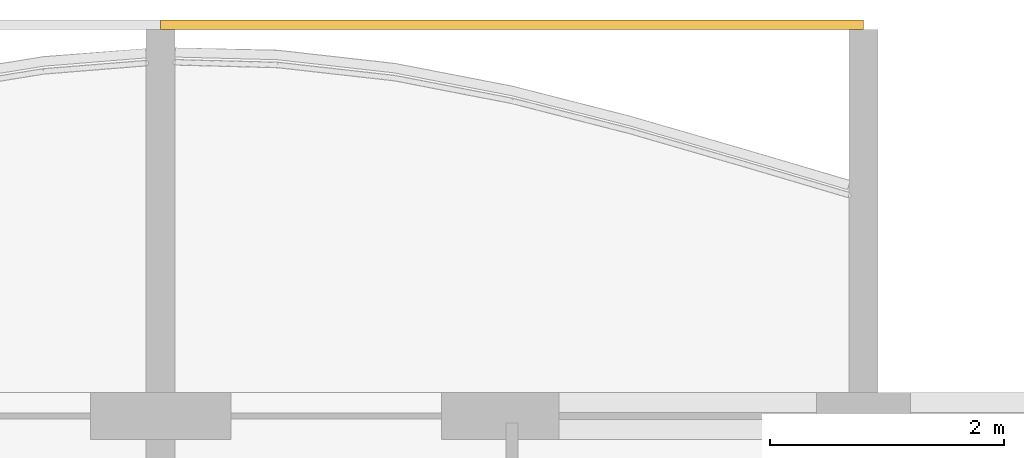
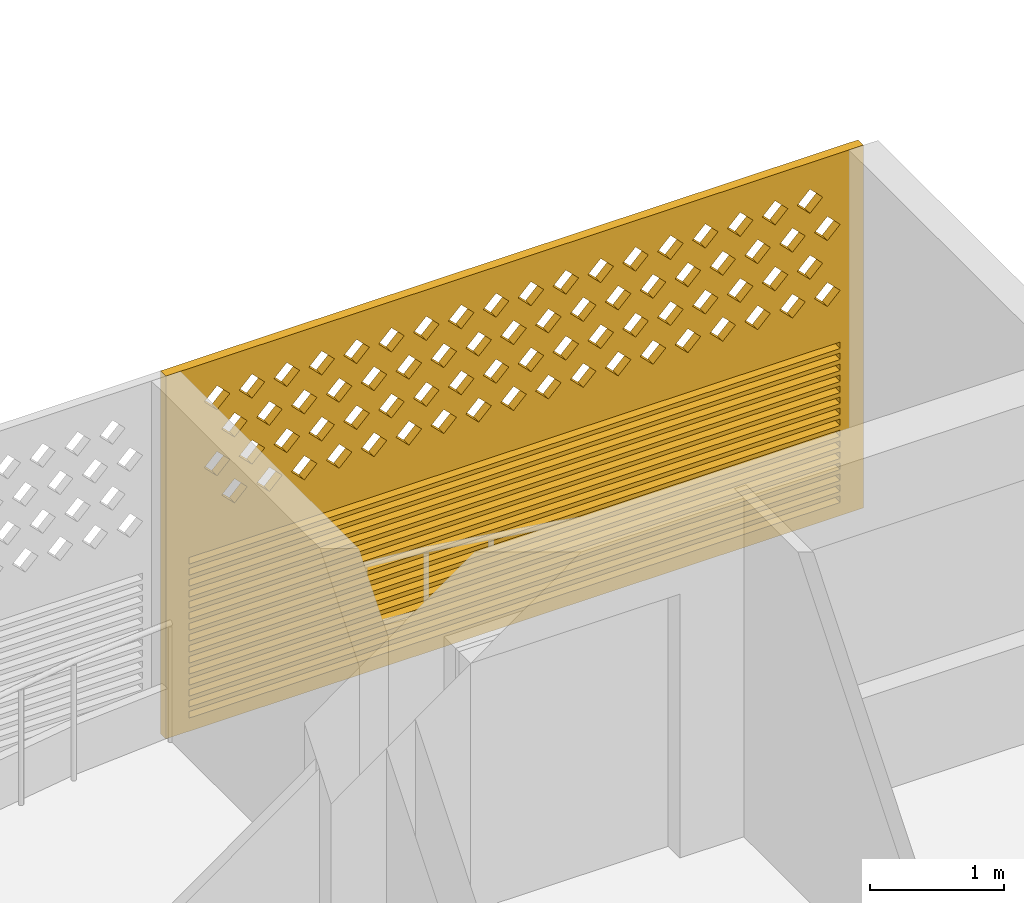
# One storey, part 21 of 27: 1 covering.
"""IFC4 building model written with IfcOpenShell, lengths in metres."""

from ifc_helpers import new_model, si_unit, direction, frame, origin, place, context, subcontext, project, spatial, polyline, outline, extrude, source, transform, mapped, material, material_profile, profile_set, type_object, element, save


model = new_model("IFC4")

# Units and contexts
model_context = context("Model", 3, precision=1e-05, world=origin(), true_north=direction((0.0, 1.0)))
body_context = subcontext(model_context, "Body", "Model", "MODEL_VIEW")
ifc_project = project(units=[si_unit("LENGTHUNIT", "METRE"), si_unit("AREAUNIT", "SQUARE_METRE"), si_unit("VOLUMEUNIT", "CUBIC_METRE"), si_unit("PLANEANGLEUNIT", "RADIAN"), si_unit("MASSUNIT", "GRAM", prefix="KILO")], contexts=[model_context])

# Site, building, storey
site_placement = place(None, origin())
site = spatial("IfcSite", under=ifc_project, at=site_placement, CompositionType="ELEMENT")
building_placement = place(site_placement, origin())
building = spatial("IfcBuilding", under=site, at=building_placement, Name="Poui Terraces", CompositionType="ELEMENT")
storey_placement = place(building_placement, frame((0.0, 0.0, 204.89990234375)))
storey = spatial("IfcBuildingStorey", under=building, at=storey_placement, Name="L57", CompositionType="ELEMENT", Elevation=204.89990234375)

# Covering
ifc_material = material(Name="Terracotta screen", Category="masonry")
ifc_material_profile = material_profile(ifc_material, outline(polyline([(-3.0, -1.64990234375), (3.0, -1.64990234375), (3.0, 1.64990234375), (-3.0, 1.64990234375), (-3.0, -1.64990234375)]), holes=[polyline([(-2.800048828125, 0.39990234375), (-2.68994140625, 0.2900390625), (-2.580078125, 0.39990234375), (-2.68994140625, 0.510009765625), (-2.800048828125, 0.39990234375)]), polyline([(-2.5, 0.39990234375), (-2.389892578125, 0.2900390625), (-2.280029296875, 0.39990234375), (-2.389892578125, 0.510009765625), (-2.5, 0.39990234375)]), polyline([(-2.199951171875, 0.39990234375), (-2.090087890625, 0.2900390625), (-1.97998046875, 0.39990234375), (-2.090087890625, 0.510009765625), (-2.199951171875, 0.39990234375)]), polyline([(-1.89990234375, 0.39990234375), (-1.7900390625, 0.2900390625), (-1.679931640625, 0.39990234375), (-1.7900390625, 0.510009765625), (-1.89990234375, 0.39990234375)]), polyline([(-1.60009765625, 0.39990234375), (-1.489990234375, 0.2900390625), (-1.3798828125, 0.39990234375), (-1.489990234375, 0.510009765625), (-1.60009765625, 0.39990234375)]), polyline([(-1.300048828125, 0.39990234375), (-1.18994140625, 0.2900390625), (-1.080078125, 0.39990234375), (-1.18994140625, 0.510009765625), (-1.300048828125, 0.39990234375)]), polyline([(-1.0, 0.39990234375), (-0.889892578125, 0.2900390625), (-0.780029296875, 0.39990234375), (-0.889892578125, 0.510009765625), (-1.0, 0.39990234375)]), polyline([(-0.699951171875, 0.39990234375), (-0.590087890625, 0.2900390625), (-0.47998046875, 0.39990234375), (-0.590087890625, 0.510009765625), (-0.699951171875, 0.39990234375)]), polyline([(-0.39990234375, 0.39990234375), (-0.2900390625, 0.2900390625), (-0.179931640625, 0.39990234375), (-0.2900390625, 0.510009765625), (-0.39990234375, 0.39990234375)]), polyline([(-0.10009765625, 0.39990234375), (0.010009765625, 0.2900390625), (0.1201171875, 0.39990234375), (0.010009765625, 0.510009765625), (-0.10009765625, 0.39990234375)]), polyline([(0.199951171875, 0.39990234375), (0.31005859375, 0.2900390625), (0.419921875, 0.39990234375), (0.31005859375, 0.510009765625), (0.199951171875, 0.39990234375)]), polyline([(0.5, 0.39990234375), (0.610107421875, 0.2900390625), (0.719970703125, 0.39990234375), (0.610107421875, 0.510009765625), (0.5, 0.39990234375)]), polyline([(0.800048828125, 0.39990234375), (0.909912109375, 0.2900390625), (1.02001953125, 0.39990234375), (0.909912109375, 0.510009765625), (0.800048828125, 0.39990234375)]), polyline([(1.10009765625, 0.39990234375), (1.2099609375, 0.2900390625), (1.320068359375, 0.39990234375), (1.2099609375, 0.510009765625), (1.10009765625, 0.39990234375)]), polyline([(1.39990234375, 0.39990234375), (1.510009765625, 0.2900390625), (1.6201171875, 0.39990234375), (1.510009765625, 0.510009765625), (1.39990234375, 0.39990234375)]), polyline([(1.699951171875, 0.39990234375), (1.81005859375, 0.2900390625), (1.919921875, 0.39990234375), (1.81005859375, 0.510009765625), (1.699951171875, 0.39990234375)]), polyline([(2.0, 0.39990234375), (2.110107421875, 0.2900390625), (2.219970703125, 0.39990234375), (2.110107421875, 0.510009765625), (2.0, 0.39990234375)]), polyline([(2.300048828125, 0.39990234375), (2.409912109375, 0.2900390625), (2.52001953125, 0.39990234375), (2.409912109375, 0.510009765625), (2.300048828125, 0.39990234375)]), polyline([(-2.64990234375, 0.699951171875), (-2.5400390625, 0.590087890625), (-2.429931640625, 0.699951171875), (-2.5400390625, 0.81005859375), (-2.64990234375, 0.699951171875)]), polyline([(-2.35009765625, 0.699951171875), (-2.239990234375, 0.590087890625), (-2.1298828125, 0.699951171875), (-2.239990234375, 0.81005859375), (-2.35009765625, 0.699951171875)]), polyline([(-2.050048828125, 0.699951171875), (-1.93994140625, 0.590087890625), (-1.830078125, 0.699951171875), (-1.93994140625, 0.81005859375), (-2.050048828125, 0.699951171875)]), polyline([(-1.75, 0.699951171875), (-1.639892578125, 0.590087890625), (-1.530029296875, 0.699951171875), (-1.639892578125, 0.81005859375), (-1.75, 0.699951171875)]), polyline([(-1.449951171875, 0.699951171875), (-1.340087890625, 0.590087890625), (-1.22998046875, 0.699951171875), (-1.340087890625, 0.81005859375), (-1.449951171875, 0.699951171875)]), polyline([(-1.14990234375, 0.699951171875), (-1.0400390625, 0.590087890625), (-0.929931640625, 0.699951171875), (-1.0400390625, 0.81005859375), (-1.14990234375, 0.699951171875)]), polyline([(-0.85009765625, 0.699951171875), (-0.739990234375, 0.590087890625), (-0.6298828125, 0.699951171875), (-0.739990234375, 0.81005859375), (-0.85009765625, 0.699951171875)]), polyline([(-0.550048828125, 0.699951171875), (-0.43994140625, 0.590087890625), (-0.330078125, 0.699951171875), (-0.43994140625, 0.81005859375), (-0.550048828125, 0.699951171875)]), polyline([(-0.25, 0.699951171875), (-0.139892578125, 0.590087890625), (-0.030029296875, 0.699951171875), (-0.139892578125, 0.81005859375), (-0.25, 0.699951171875)]), polyline([(0.050048828125, 0.699951171875), (0.159912109375, 0.590087890625), (0.27001953125, 0.699951171875), (0.159912109375, 0.81005859375), (0.050048828125, 0.699951171875)]), polyline([(0.35009765625, 0.699951171875), (0.4599609375, 0.590087890625), (0.570068359375, 0.699951171875), (0.4599609375, 0.81005859375), (0.35009765625, 0.699951171875)]), polyline([(0.64990234375, 0.699951171875), (0.760009765625, 0.590087890625), (0.8701171875, 0.699951171875), (0.760009765625, 0.81005859375), (0.64990234375, 0.699951171875)]), polyline([(0.949951171875, 0.699951171875), (1.06005859375, 0.590087890625), (1.169921875, 0.699951171875), (1.06005859375, 0.81005859375), (0.949951171875, 0.699951171875)]), polyline([(1.25, 0.699951171875), (1.360107421875, 0.590087890625), (1.469970703125, 0.699951171875), (1.360107421875, 0.81005859375), (1.25, 0.699951171875)]), polyline([(1.550048828125, 0.699951171875), (1.659912109375, 0.590087890625), (1.77001953125, 0.699951171875), (1.659912109375, 0.81005859375), (1.550048828125, 0.699951171875)]), polyline([(1.85009765625, 0.699951171875), (1.9599609375, 0.590087890625), (2.070068359375, 0.699951171875), (1.9599609375, 0.81005859375), (1.85009765625, 0.699951171875)]), polyline([(2.14990234375, 0.699951171875), (2.260009765625, 0.590087890625), (2.3701171875, 0.699951171875), (2.260009765625, 0.81005859375), (2.14990234375, 0.699951171875)]), polyline([(2.449951171875, 0.699951171875), (2.56005859375, 0.590087890625), (2.669921875, 0.699951171875), (2.56005859375, 0.81005859375), (2.449951171875, 0.699951171875)]), polyline([(-2.800048828125, 1.0), (-2.68994140625, 0.889892578125), (-2.580078125, 1.0), (-2.68994140625, 1.110107421875), (-2.800048828125, 1.0)]), polyline([(-2.5, 1.0), (-2.389892578125, 0.889892578125), (-2.280029296875, 1.0), (-2.389892578125, 1.110107421875), (-2.5, 1.0)]), polyline([(-2.199951171875, 1.0), (-2.090087890625, 0.889892578125), (-1.97998046875, 1.0), (-2.090087890625, 1.110107421875), (-2.199951171875, 1.0)]), polyline([(-1.89990234375, 1.0), (-1.7900390625, 0.889892578125), (-1.679931640625, 1.0), (-1.7900390625, 1.110107421875), (-1.89990234375, 1.0)]), polyline([(-1.60009765625, 1.0), (-1.489990234375, 0.889892578125), (-1.3798828125, 1.0), (-1.489990234375, 1.110107421875), (-1.60009765625, 1.0)]), polyline([(-1.300048828125, 1.0), (-1.18994140625, 0.889892578125), (-1.080078125, 1.0), (-1.18994140625, 1.110107421875), (-1.300048828125, 1.0)]), polyline([(-1.0, 1.0), (-0.889892578125, 0.889892578125), (-0.780029296875, 1.0), (-0.889892578125, 1.110107421875), (-1.0, 1.0)]), polyline([(-0.699951171875, 1.0), (-0.590087890625, 0.889892578125), (-0.47998046875, 1.0), (-0.590087890625, 1.110107421875), (-0.699951171875, 1.0)]), polyline([(-0.39990234375, 1.0), (-0.2900390625, 0.889892578125), (-0.179931640625, 1.0), (-0.2900390625, 1.110107421875), (-0.39990234375, 1.0)]), polyline([(-0.10009765625, 1.0), (0.010009765625, 0.889892578125), (0.1201171875, 1.0), (0.010009765625, 1.110107421875), (-0.10009765625, 1.0)]), polyline([(0.199951171875, 1.0), (0.31005859375, 0.889892578125), (0.419921875, 1.0), (0.31005859375, 1.110107421875), (0.199951171875, 1.0)]), polyline([(0.5, 1.0), (0.610107421875, 0.889892578125), (0.719970703125, 1.0), (0.610107421875, 1.110107421875), (0.5, 1.0)]), polyline([(0.800048828125, 1.0), (0.909912109375, 0.889892578125), (1.02001953125, 1.0), (0.909912109375, 1.110107421875), (0.800048828125, 1.0)]), polyline([(1.10009765625, 1.0), (1.2099609375, 0.889892578125), (1.320068359375, 1.0), (1.2099609375, 1.110107421875), (1.10009765625, 1.0)]), polyline([(1.39990234375, 1.0), (1.510009765625, 0.889892578125), (1.6201171875, 1.0), (1.510009765625, 1.110107421875), (1.39990234375, 1.0)]), polyline([(1.699951171875, 1.0), (1.81005859375, 0.889892578125), (1.919921875, 1.0), (1.81005859375, 1.110107421875), (1.699951171875, 1.0)]), polyline([(2.0, 1.0), (2.110107421875, 0.889892578125), (2.219970703125, 1.0), (2.110107421875, 1.110107421875), (2.0, 1.0)]), polyline([(2.300048828125, 1.0), (2.409912109375, 0.889892578125), (2.52001953125, 1.0), (2.409912109375, 1.110107421875), (2.300048828125, 1.0)]), polyline([(-2.64990234375, 1.300048828125), (-2.5400390625, 1.18994140625), (-2.429931640625, 1.300048828125), (-2.5400390625, 1.409912109375), (-2.64990234375, 1.300048828125)]), polyline([(-2.35009765625, 1.300048828125), (-2.239990234375, 1.18994140625), (-2.1298828125, 1.300048828125), (-2.239990234375, 1.409912109375), (-2.35009765625, 1.300048828125)]), polyline([(-2.050048828125, 1.300048828125), (-1.93994140625, 1.18994140625), (-1.830078125, 1.300048828125), (-1.93994140625, 1.409912109375), (-2.050048828125, 1.300048828125)]), polyline([(-1.75, 1.300048828125), (-1.639892578125, 1.18994140625), (-1.530029296875, 1.300048828125), (-1.639892578125, 1.409912109375), (-1.75, 1.300048828125)]), polyline([(-1.449951171875, 1.300048828125), (-1.340087890625, 1.18994140625), (-1.22998046875, 1.300048828125), (-1.340087890625, 1.409912109375), (-1.449951171875, 1.300048828125)]), polyline([(-1.14990234375, 1.300048828125), (-1.0400390625, 1.18994140625), (-0.929931640625, 1.300048828125), (-1.0400390625, 1.409912109375), (-1.14990234375, 1.300048828125)]), polyline([(-0.85009765625, 1.300048828125), (-0.739990234375, 1.18994140625), (-0.6298828125, 1.300048828125), (-0.739990234375, 1.409912109375), (-0.85009765625, 1.300048828125)]), polyline([(-0.550048828125, 1.300048828125), (-0.43994140625, 1.18994140625), (-0.330078125, 1.300048828125), (-0.43994140625, 1.409912109375), (-0.550048828125, 1.300048828125)]), polyline([(-0.25, 1.300048828125), (-0.139892578125, 1.18994140625), (-0.030029296875, 1.300048828125), (-0.139892578125, 1.409912109375), (-0.25, 1.300048828125)]), polyline([(0.050048828125, 1.300048828125), (0.159912109375, 1.18994140625), (0.27001953125, 1.300048828125), (0.159912109375, 1.409912109375), (0.050048828125, 1.300048828125)]), polyline([(0.35009765625, 1.300048828125), (0.4599609375, 1.18994140625), (0.570068359375, 1.300048828125), (0.4599609375, 1.409912109375), (0.35009765625, 1.300048828125)]), polyline([(0.64990234375, 1.300048828125), (0.760009765625, 1.18994140625), (0.8701171875, 1.300048828125), (0.760009765625, 1.409912109375), (0.64990234375, 1.300048828125)]), polyline([(0.949951171875, 1.300048828125), (1.06005859375, 1.18994140625), (1.169921875, 1.300048828125), (1.06005859375, 1.409912109375), (0.949951171875, 1.300048828125)]), polyline([(1.25, 1.300048828125), (1.360107421875, 1.18994140625), (1.469970703125, 1.300048828125), (1.360107421875, 1.409912109375), (1.25, 1.300048828125)]), polyline([(1.550048828125, 1.300048828125), (1.659912109375, 1.18994140625), (1.77001953125, 1.300048828125), (1.659912109375, 1.409912109375), (1.550048828125, 1.300048828125)]), polyline([(1.85009765625, 1.300048828125), (1.9599609375, 1.18994140625), (2.070068359375, 1.300048828125), (1.9599609375, 1.409912109375), (1.85009765625, 1.300048828125)]), polyline([(2.14990234375, 1.300048828125), (2.260009765625, 1.18994140625), (2.3701171875, 1.300048828125), (2.260009765625, 1.409912109375), (2.14990234375, 1.300048828125)]), polyline([(2.449951171875, 1.300048828125), (2.56005859375, 1.18994140625), (2.669921875, 1.300048828125), (2.56005859375, 1.409912109375), (2.449951171875, 1.300048828125)]), polyline([(-2.800048828125, -1.530029296875), (2.800048828125, -1.530029296875), (2.800048828125, -1.469970703125), (-2.800048828125, -1.469970703125), (-2.800048828125, -1.530029296875)]), polyline([(-2.800048828125, -1.429931640625), (2.800048828125, -1.429931640625), (2.800048828125, -1.3701171875), (-2.800048828125, -1.3701171875), (-2.800048828125, -1.429931640625)]), polyline([(-2.800048828125, -1.330078125), (2.800048828125, -1.330078125), (2.800048828125, -1.27001953125), (-2.800048828125, -1.27001953125), (-2.800048828125, -1.330078125)]), polyline([(-2.800048828125, -1.22998046875), (2.800048828125, -1.22998046875), (2.800048828125, -1.169921875), (-2.800048828125, -1.169921875), (-2.800048828125, -1.22998046875)]), polyline([(-2.800048828125, -1.1298828125), (2.800048828125, -1.1298828125), (2.800048828125, -1.070068359375), (-2.800048828125, -1.070068359375), (-2.800048828125, -1.1298828125)]), polyline([(-2.800048828125, -1.030029296875), (2.800048828125, -1.030029296875), (2.800048828125, -0.969970703125), (-2.800048828125, -0.969970703125), (-2.800048828125, -1.030029296875)]), polyline([(-2.800048828125, -0.929931640625), (2.800048828125, -0.929931640625), (2.800048828125, -0.8701171875), (-2.800048828125, -0.8701171875), (-2.800048828125, -0.929931640625)]), polyline([(-2.800048828125, -0.830078125), (2.800048828125, -0.830078125), (2.800048828125, -0.77001953125), (-2.800048828125, -0.77001953125), (-2.800048828125, -0.830078125)]), polyline([(-2.800048828125, -0.72998046875), (2.800048828125, -0.72998046875), (2.800048828125, -0.669921875), (-2.800048828125, -0.669921875), (-2.800048828125, -0.72998046875)]), polyline([(-2.800048828125, -0.6298828125), (2.800048828125, -0.6298828125), (2.800048828125, -0.570068359375), (-2.800048828125, -0.570068359375), (-2.800048828125, -0.6298828125)]), polyline([(-2.800048828125, -0.530029296875), (2.800048828125, -0.530029296875), (2.800048828125, -0.469970703125), (-2.800048828125, -0.469970703125), (-2.800048828125, -0.530029296875)]), polyline([(-2.800048828125, -0.429931640625), (2.800048828125, -0.429931640625), (2.800048828125, -0.3701171875), (-2.800048828125, -0.3701171875), (-2.800048828125, -0.429931640625)]), polyline([(-2.800048828125, -0.330078125), (2.800048828125, -0.330078125), (2.800048828125, -0.27001953125), (-2.800048828125, -0.27001953125), (-2.800048828125, -0.330078125)]), polyline([(-2.800048828125, -0.22998046875), (2.800048828125, -0.22998046875), (2.800048828125, -0.169921875), (-2.800048828125, -0.169921875), (-2.800048828125, -0.22998046875)]), polyline([(-2.800048828125, -0.1298828125), (2.800048828125, -0.1298828125), (2.800048828125, -0.070068359375), (-2.800048828125, -0.070068359375), (-2.800048828125, -0.1298828125)])]), Name="TERRACOTTA SCREEN AND JALOUSIE LOUVRE 6000X3300")
ifc_profile_set = profile_set([ifc_material_profile], Name="Terracotta screen")
covering_type = type_object("IfcCoveringType", Name="TERRACOTTA SCREEN AND JALOUSIE LOUVRE 6000X3300", PredefinedType="CLADDING", material=ifc_profile_set)
shared_shape = source(origin(), body_context, "Body", "SweptSolid", [
    extrude(outline(polyline([(-3.0, -1.64990234375), (3.0, -1.64990234375), (3.0, 1.64990234375), (-3.0, 1.64990234375), (-3.0, -1.64990234375)]), holes=[polyline([(-2.800048828125, 0.39990234375), (-2.68994140625, 0.2900390625), (-2.580078125, 0.39990234375), (-2.68994140625, 0.510009765625), (-2.800048828125, 0.39990234375)]), polyline([(-2.5, 0.39990234375), (-2.389892578125, 0.2900390625), (-2.280029296875, 0.39990234375), (-2.389892578125, 0.510009765625), (-2.5, 0.39990234375)]), polyline([(-2.199951171875, 0.39990234375), (-2.090087890625, 0.2900390625), (-1.97998046875, 0.39990234375), (-2.090087890625, 0.510009765625), (-2.199951171875, 0.39990234375)]), polyline([(-1.89990234375, 0.39990234375), (-1.7900390625, 0.2900390625), (-1.679931640625, 0.39990234375), (-1.7900390625, 0.510009765625), (-1.89990234375, 0.39990234375)]), polyline([(-1.60009765625, 0.39990234375), (-1.489990234375, 0.2900390625), (-1.3798828125, 0.39990234375), (-1.489990234375, 0.510009765625), (-1.60009765625, 0.39990234375)]), polyline([(-1.300048828125, 0.39990234375), (-1.18994140625, 0.2900390625), (-1.080078125, 0.39990234375), (-1.18994140625, 0.510009765625), (-1.300048828125, 0.39990234375)]), polyline([(-1.0, 0.39990234375), (-0.889892578125, 0.2900390625), (-0.780029296875, 0.39990234375), (-0.889892578125, 0.510009765625), (-1.0, 0.39990234375)]), polyline([(-0.699951171875, 0.39990234375), (-0.590087890625, 0.2900390625), (-0.47998046875, 0.39990234375), (-0.590087890625, 0.510009765625), (-0.699951171875, 0.39990234375)]), polyline([(-0.39990234375, 0.39990234375), (-0.2900390625, 0.2900390625), (-0.179931640625, 0.39990234375), (-0.2900390625, 0.510009765625), (-0.39990234375, 0.39990234375)]), polyline([(-0.10009765625, 0.39990234375), (0.010009765625, 0.2900390625), (0.1201171875, 0.39990234375), (0.010009765625, 0.510009765625), (-0.10009765625, 0.39990234375)]), polyline([(0.199951171875, 0.39990234375), (0.31005859375, 0.2900390625), (0.419921875, 0.39990234375), (0.31005859375, 0.510009765625), (0.199951171875, 0.39990234375)]), polyline([(0.5, 0.39990234375), (0.610107421875, 0.2900390625), (0.719970703125, 0.39990234375), (0.610107421875, 0.510009765625), (0.5, 0.39990234375)]), polyline([(0.800048828125, 0.39990234375), (0.909912109375, 0.2900390625), (1.02001953125, 0.39990234375), (0.909912109375, 0.510009765625), (0.800048828125, 0.39990234375)]), polyline([(1.10009765625, 0.39990234375), (1.2099609375, 0.2900390625), (1.320068359375, 0.39990234375), (1.2099609375, 0.510009765625), (1.10009765625, 0.39990234375)]), polyline([(1.39990234375, 0.39990234375), (1.510009765625, 0.2900390625), (1.6201171875, 0.39990234375), (1.510009765625, 0.510009765625), (1.39990234375, 0.39990234375)]), polyline([(1.699951171875, 0.39990234375), (1.81005859375, 0.2900390625), (1.919921875, 0.39990234375), (1.81005859375, 0.510009765625), (1.699951171875, 0.39990234375)]), polyline([(2.0, 0.39990234375), (2.110107421875, 0.2900390625), (2.219970703125, 0.39990234375), (2.110107421875, 0.510009765625), (2.0, 0.39990234375)]), polyline([(2.300048828125, 0.39990234375), (2.409912109375, 0.2900390625), (2.52001953125, 0.39990234375), (2.409912109375, 0.510009765625), (2.300048828125, 0.39990234375)]), polyline([(-2.64990234375, 0.699951171875), (-2.5400390625, 0.590087890625), (-2.429931640625, 0.699951171875), (-2.5400390625, 0.81005859375), (-2.64990234375, 0.699951171875)]), polyline([(-2.35009765625, 0.699951171875), (-2.239990234375, 0.590087890625), (-2.1298828125, 0.699951171875), (-2.239990234375, 0.81005859375), (-2.35009765625, 0.699951171875)]), polyline([(-2.050048828125, 0.699951171875), (-1.93994140625, 0.590087890625), (-1.830078125, 0.699951171875), (-1.93994140625, 0.81005859375), (-2.050048828125, 0.699951171875)]), polyline([(-1.75, 0.699951171875), (-1.639892578125, 0.590087890625), (-1.530029296875, 0.699951171875), (-1.639892578125, 0.81005859375), (-1.75, 0.699951171875)]), polyline([(-1.449951171875, 0.699951171875), (-1.340087890625, 0.590087890625), (-1.22998046875, 0.699951171875), (-1.340087890625, 0.81005859375), (-1.449951171875, 0.699951171875)]), polyline([(-1.14990234375, 0.699951171875), (-1.0400390625, 0.590087890625), (-0.929931640625, 0.699951171875), (-1.0400390625, 0.81005859375), (-1.14990234375, 0.699951171875)]), polyline([(-0.85009765625, 0.699951171875), (-0.739990234375, 0.590087890625), (-0.6298828125, 0.699951171875), (-0.739990234375, 0.81005859375), (-0.85009765625, 0.699951171875)]), polyline([(-0.550048828125, 0.699951171875), (-0.43994140625, 0.590087890625), (-0.330078125, 0.699951171875), (-0.43994140625, 0.81005859375), (-0.550048828125, 0.699951171875)]), polyline([(-0.25, 0.699951171875), (-0.139892578125, 0.590087890625), (-0.030029296875, 0.699951171875), (-0.139892578125, 0.81005859375), (-0.25, 0.699951171875)]), polyline([(0.050048828125, 0.699951171875), (0.159912109375, 0.590087890625), (0.27001953125, 0.699951171875), (0.159912109375, 0.81005859375), (0.050048828125, 0.699951171875)]), polyline([(0.35009765625, 0.699951171875), (0.4599609375, 0.590087890625), (0.570068359375, 0.699951171875), (0.4599609375, 0.81005859375), (0.35009765625, 0.699951171875)]), polyline([(0.64990234375, 0.699951171875), (0.760009765625, 0.590087890625), (0.8701171875, 0.699951171875), (0.760009765625, 0.81005859375), (0.64990234375, 0.699951171875)]), polyline([(0.949951171875, 0.699951171875), (1.06005859375, 0.590087890625), (1.169921875, 0.699951171875), (1.06005859375, 0.81005859375), (0.949951171875, 0.699951171875)]), polyline([(1.25, 0.699951171875), (1.360107421875, 0.590087890625), (1.469970703125, 0.699951171875), (1.360107421875, 0.81005859375), (1.25, 0.699951171875)]), polyline([(1.550048828125, 0.699951171875), (1.659912109375, 0.590087890625), (1.77001953125, 0.699951171875), (1.659912109375, 0.81005859375), (1.550048828125, 0.699951171875)]), polyline([(1.85009765625, 0.699951171875), (1.9599609375, 0.590087890625), (2.070068359375, 0.699951171875), (1.9599609375, 0.81005859375), (1.85009765625, 0.699951171875)]), polyline([(2.14990234375, 0.699951171875), (2.260009765625, 0.590087890625), (2.3701171875, 0.699951171875), (2.260009765625, 0.81005859375), (2.14990234375, 0.699951171875)]), polyline([(2.449951171875, 0.699951171875), (2.56005859375, 0.590087890625), (2.669921875, 0.699951171875), (2.56005859375, 0.81005859375), (2.449951171875, 0.699951171875)]), polyline([(-2.800048828125, 1.0), (-2.68994140625, 0.889892578125), (-2.580078125, 1.0), (-2.68994140625, 1.110107421875), (-2.800048828125, 1.0)]), polyline([(-2.5, 1.0), (-2.389892578125, 0.889892578125), (-2.280029296875, 1.0), (-2.389892578125, 1.110107421875), (-2.5, 1.0)]), polyline([(-2.199951171875, 1.0), (-2.090087890625, 0.889892578125), (-1.97998046875, 1.0), (-2.090087890625, 1.110107421875), (-2.199951171875, 1.0)]), polyline([(-1.89990234375, 1.0), (-1.7900390625, 0.889892578125), (-1.679931640625, 1.0), (-1.7900390625, 1.110107421875), (-1.89990234375, 1.0)]), polyline([(-1.60009765625, 1.0), (-1.489990234375, 0.889892578125), (-1.3798828125, 1.0), (-1.489990234375, 1.110107421875), (-1.60009765625, 1.0)]), polyline([(-1.300048828125, 1.0), (-1.18994140625, 0.889892578125), (-1.080078125, 1.0), (-1.18994140625, 1.110107421875), (-1.300048828125, 1.0)]), polyline([(-1.0, 1.0), (-0.889892578125, 0.889892578125), (-0.780029296875, 1.0), (-0.889892578125, 1.110107421875), (-1.0, 1.0)]), polyline([(-0.699951171875, 1.0), (-0.590087890625, 0.889892578125), (-0.47998046875, 1.0), (-0.590087890625, 1.110107421875), (-0.699951171875, 1.0)]), polyline([(-0.39990234375, 1.0), (-0.2900390625, 0.889892578125), (-0.179931640625, 1.0), (-0.2900390625, 1.110107421875), (-0.39990234375, 1.0)]), polyline([(-0.10009765625, 1.0), (0.010009765625, 0.889892578125), (0.1201171875, 1.0), (0.010009765625, 1.110107421875), (-0.10009765625, 1.0)]), polyline([(0.199951171875, 1.0), (0.31005859375, 0.889892578125), (0.419921875, 1.0), (0.31005859375, 1.110107421875), (0.199951171875, 1.0)]), polyline([(0.5, 1.0), (0.610107421875, 0.889892578125), (0.719970703125, 1.0), (0.610107421875, 1.110107421875), (0.5, 1.0)]), polyline([(0.800048828125, 1.0), (0.909912109375, 0.889892578125), (1.02001953125, 1.0), (0.909912109375, 1.110107421875), (0.800048828125, 1.0)]), polyline([(1.10009765625, 1.0), (1.2099609375, 0.889892578125), (1.320068359375, 1.0), (1.2099609375, 1.110107421875), (1.10009765625, 1.0)]), polyline([(1.39990234375, 1.0), (1.510009765625, 0.889892578125), (1.6201171875, 1.0), (1.510009765625, 1.110107421875), (1.39990234375, 1.0)]), polyline([(1.699951171875, 1.0), (1.81005859375, 0.889892578125), (1.919921875, 1.0), (1.81005859375, 1.110107421875), (1.699951171875, 1.0)]), polyline([(2.0, 1.0), (2.110107421875, 0.889892578125), (2.219970703125, 1.0), (2.110107421875, 1.110107421875), (2.0, 1.0)]), polyline([(2.300048828125, 1.0), (2.409912109375, 0.889892578125), (2.52001953125, 1.0), (2.409912109375, 1.110107421875), (2.300048828125, 1.0)]), polyline([(-2.64990234375, 1.300048828125), (-2.5400390625, 1.18994140625), (-2.429931640625, 1.300048828125), (-2.5400390625, 1.409912109375), (-2.64990234375, 1.300048828125)]), polyline([(-2.35009765625, 1.300048828125), (-2.239990234375, 1.18994140625), (-2.1298828125, 1.300048828125), (-2.239990234375, 1.409912109375), (-2.35009765625, 1.300048828125)]), polyline([(-2.050048828125, 1.300048828125), (-1.93994140625, 1.18994140625), (-1.830078125, 1.300048828125), (-1.93994140625, 1.409912109375), (-2.050048828125, 1.300048828125)]), polyline([(-1.75, 1.300048828125), (-1.639892578125, 1.18994140625), (-1.530029296875, 1.300048828125), (-1.639892578125, 1.409912109375), (-1.75, 1.300048828125)]), polyline([(-1.449951171875, 1.300048828125), (-1.340087890625, 1.18994140625), (-1.22998046875, 1.300048828125), (-1.340087890625, 1.409912109375), (-1.449951171875, 1.300048828125)]), polyline([(-1.14990234375, 1.300048828125), (-1.0400390625, 1.18994140625), (-0.929931640625, 1.300048828125), (-1.0400390625, 1.409912109375), (-1.14990234375, 1.300048828125)]), polyline([(-0.85009765625, 1.300048828125), (-0.739990234375, 1.18994140625), (-0.6298828125, 1.300048828125), (-0.739990234375, 1.409912109375), (-0.85009765625, 1.300048828125)]), polyline([(-0.550048828125, 1.300048828125), (-0.43994140625, 1.18994140625), (-0.330078125, 1.300048828125), (-0.43994140625, 1.409912109375), (-0.550048828125, 1.300048828125)]), polyline([(-0.25, 1.300048828125), (-0.139892578125, 1.18994140625), (-0.030029296875, 1.300048828125), (-0.139892578125, 1.409912109375), (-0.25, 1.300048828125)]), polyline([(0.050048828125, 1.300048828125), (0.159912109375, 1.18994140625), (0.27001953125, 1.300048828125), (0.159912109375, 1.409912109375), (0.050048828125, 1.300048828125)]), polyline([(0.35009765625, 1.300048828125), (0.4599609375, 1.18994140625), (0.570068359375, 1.300048828125), (0.4599609375, 1.409912109375), (0.35009765625, 1.300048828125)]), polyline([(0.64990234375, 1.300048828125), (0.760009765625, 1.18994140625), (0.8701171875, 1.300048828125), (0.760009765625, 1.409912109375), (0.64990234375, 1.300048828125)]), polyline([(0.949951171875, 1.300048828125), (1.06005859375, 1.18994140625), (1.169921875, 1.300048828125), (1.06005859375, 1.409912109375), (0.949951171875, 1.300048828125)]), polyline([(1.25, 1.300048828125), (1.360107421875, 1.18994140625), (1.469970703125, 1.300048828125), (1.360107421875, 1.409912109375), (1.25, 1.300048828125)]), polyline([(1.550048828125, 1.300048828125), (1.659912109375, 1.18994140625), (1.77001953125, 1.300048828125), (1.659912109375, 1.409912109375), (1.550048828125, 1.300048828125)]), polyline([(1.85009765625, 1.300048828125), (1.9599609375, 1.18994140625), (2.070068359375, 1.300048828125), (1.9599609375, 1.409912109375), (1.85009765625, 1.300048828125)]), polyline([(2.14990234375, 1.300048828125), (2.260009765625, 1.18994140625), (2.3701171875, 1.300048828125), (2.260009765625, 1.409912109375), (2.14990234375, 1.300048828125)]), polyline([(2.449951171875, 1.300048828125), (2.56005859375, 1.18994140625), (2.669921875, 1.300048828125), (2.56005859375, 1.409912109375), (2.449951171875, 1.300048828125)]), polyline([(-2.800048828125, -1.530029296875), (2.800048828125, -1.530029296875), (2.800048828125, -1.469970703125), (-2.800048828125, -1.469970703125), (-2.800048828125, -1.530029296875)]), polyline([(-2.800048828125, -1.429931640625), (2.800048828125, -1.429931640625), (2.800048828125, -1.3701171875), (-2.800048828125, -1.3701171875), (-2.800048828125, -1.429931640625)]), polyline([(-2.800048828125, -1.330078125), (2.800048828125, -1.330078125), (2.800048828125, -1.27001953125), (-2.800048828125, -1.27001953125), (-2.800048828125, -1.330078125)]), polyline([(-2.800048828125, -1.22998046875), (2.800048828125, -1.22998046875), (2.800048828125, -1.169921875), (-2.800048828125, -1.169921875), (-2.800048828125, -1.22998046875)]), polyline([(-2.800048828125, -1.1298828125), (2.800048828125, -1.1298828125), (2.800048828125, -1.070068359375), (-2.800048828125, -1.070068359375), (-2.800048828125, -1.1298828125)]), polyline([(-2.800048828125, -1.030029296875), (2.800048828125, -1.030029296875), (2.800048828125, -0.969970703125), (-2.800048828125, -0.969970703125), (-2.800048828125, -1.030029296875)]), polyline([(-2.800048828125, -0.929931640625), (2.800048828125, -0.929931640625), (2.800048828125, -0.8701171875), (-2.800048828125, -0.8701171875), (-2.800048828125, -0.929931640625)]), polyline([(-2.800048828125, -0.830078125), (2.800048828125, -0.830078125), (2.800048828125, -0.77001953125), (-2.800048828125, -0.77001953125), (-2.800048828125, -0.830078125)]), polyline([(-2.800048828125, -0.72998046875), (2.800048828125, -0.72998046875), (2.800048828125, -0.669921875), (-2.800048828125, -0.669921875), (-2.800048828125, -0.72998046875)]), polyline([(-2.800048828125, -0.6298828125), (2.800048828125, -0.6298828125), (2.800048828125, -0.570068359375), (-2.800048828125, -0.570068359375), (-2.800048828125, -0.6298828125)]), polyline([(-2.800048828125, -0.530029296875), (2.800048828125, -0.530029296875), (2.800048828125, -0.469970703125), (-2.800048828125, -0.469970703125), (-2.800048828125, -0.530029296875)]), polyline([(-2.800048828125, -0.429931640625), (2.800048828125, -0.429931640625), (2.800048828125, -0.3701171875), (-2.800048828125, -0.3701171875), (-2.800048828125, -0.429931640625)]), polyline([(-2.800048828125, -0.330078125), (2.800048828125, -0.330078125), (2.800048828125, -0.27001953125), (-2.800048828125, -0.27001953125), (-2.800048828125, -0.330078125)]), polyline([(-2.800048828125, -0.22998046875), (2.800048828125, -0.22998046875), (2.800048828125, -0.169921875), (-2.800048828125, -0.169921875), (-2.800048828125, -0.22998046875)]), polyline([(-2.800048828125, -0.1298828125), (2.800048828125, -0.1298828125), (2.800048828125, -0.070068359375), (-2.800048828125, -0.070068359375), (-2.800048828125, -0.1298828125)])]), origin(), (0.0, 0.0, 1.0), 0.080078125),
])
covering_placement = place(storey_placement, frame((39.0, 44.5, 1.4501953125), z_axis=(0.0, 1.0, 0.0), x_axis=(-1.0, 0.0, 0.0)))
element("IfcCovering", 1, at=covering_placement, inside=storey, type_object=covering_type, Name="SOLAR SCREEN AND JALOUSIE LOUVRE", PredefinedType="CLADDING", context=body_context, shape_type="MappedRepresentation", body=[
    mapped(shared_shape, transform((0.0, 0.0, 0.0))),
])

save(model, "model.ifc")
